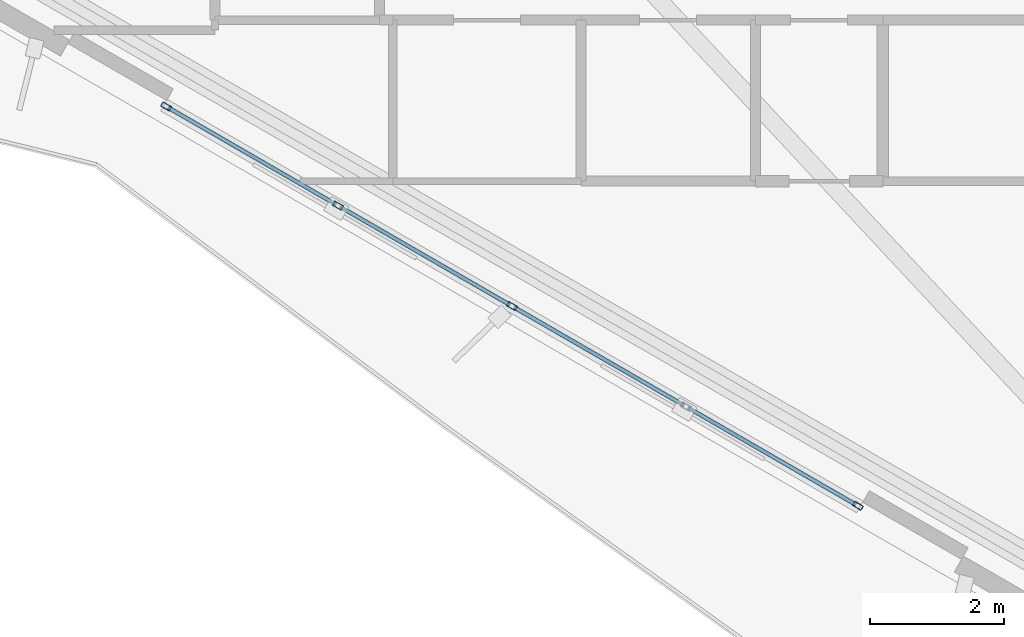
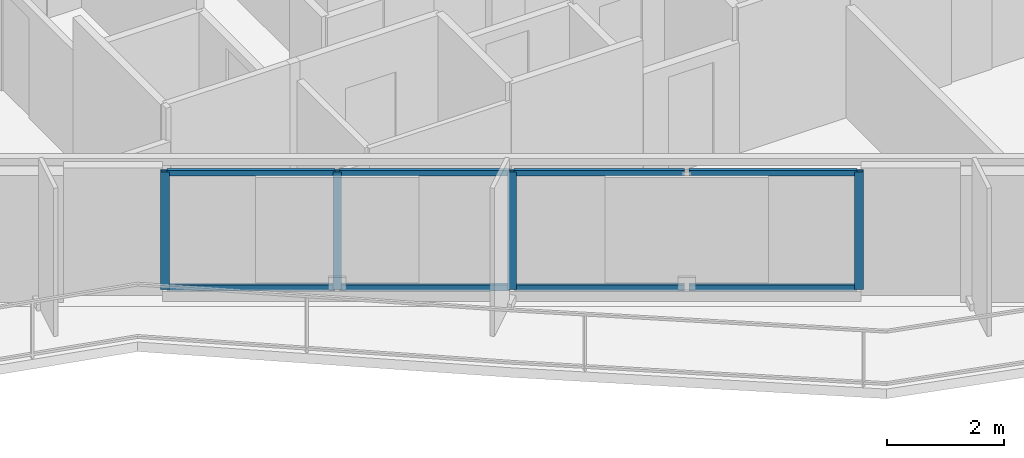
# One storey, part 2 of 19: 12 members, 1 element without a shape of its own.
"""IFC4 building model written with IfcOpenShell, lengths in metres."""

import ifcopenshell
import ifcopenshell.guid

model = None  # the IFC model being written
_history = None  # IfcOwnerHistory: only IFC2X3 demands one
_inside = {}  # id of a spatial element -> (the spatial element, [elements in it])
_under = {}  # id of a project, library or spatial element -> (it, [spatial elements below it])
_declared = {}  # id of a project -> (the project, [libraries it declares])
_typed = {}  # id of a type object -> (the type object, [elements of that type])
_made_of = {}  # id of a material, layer set ... -> (it, [elements and type objects made of it])


def new_model(schema):
    """Start an empty IFC model of exactly this schema.

    Asked for "IFC4X3", IfcOpenShell would pick the latest addendum, in which some entities
    have other attributes; the version numbers below select the first issue.
    IFC2X3 requires an IfcOwnerHistory on every rooted entity: one is made here for all.
    """
    global model, _history
    if schema == "IFC4X3":
        model = ifcopenshell.file(schema_version=(4, 3, 0, 0))
    else:
        model = ifcopenshell.file(schema=schema)
    _inside.clear()
    _under.clear()
    _declared.clear()
    _typed.clear()
    _made_of.clear()
    _history = None
    if model.schema == "IFC2X3":
        org = make("IfcOrganization", Name="unknown")
        user = make(
            "IfcPersonAndOrganization",
            ThePerson=make("IfcPerson", FamilyName="unknown"),
            TheOrganization=org,
        )
        app = make(
            "IfcApplication",
            ApplicationDeveloper=org,
            Version="unknown",
            ApplicationFullName="unknown",
            ApplicationIdentifier="unknown",
        )
        _history = make(
            "IfcOwnerHistory",
            OwningUser=user,
            OwningApplication=app,
            ChangeAction="ADDED",
            CreationDate=0,
        )
    return model


def make(cls, **values):
    """One entity of the class cls with the attributes given. An attribute that is None is left unset."""
    return model.create_entity(
        cls, **{name: value for name, value in values.items() if value is not None}
    )


def rooted(cls, **values):
    """An entity with a GlobalId (a new one), such as an element, a storey or a relation."""
    return make(cls, GlobalId=ifcopenshell.guid.new(), OwnerHistory=_history, **values)


def si_unit(unit_type, name, prefix=None):
    """IfcSIUnit, for example si_unit("LENGTHUNIT", "METRE", prefix="MILLI")."""
    return make("IfcSIUnit", UnitType=unit_type, Prefix=prefix, Name=name)


def assignment(units):
    """IfcUnitAssignment: the units of a project."""
    return None if units is None else make("IfcUnitAssignment", Units=units)


def point(xyz):
    """IfcCartesianPoint."""
    return None if xyz is None else make("IfcCartesianPoint", Coordinates=xyz)


def direction(xyz):
    """IfcDirection."""
    return None if xyz is None else make("IfcDirection", DirectionRatios=xyz)


def frame(location, z_axis=None, x_axis=None):
    """IfcAxis2Placement3D, a coordinate frame: its origin and axes. An axis left out is left unset."""
    return make(
        "IfcAxis2Placement3D",
        Location=point(location),
        Axis=direction(z_axis),
        RefDirection=direction(x_axis),
    )


def frame_2d(location, x_axis=None):
    """IfcAxis2Placement2D, a coordinate frame in the plane: its origin and x axis."""
    return make(
        "IfcAxis2Placement2D", Location=point(location), RefDirection=direction(x_axis)
    )


def origin():
    """The frame at (0, 0, 0) with its axes left unset."""
    return frame((0.0, 0.0, 0.0))


def origin_2d():
    """The frame at (0, 0) in the plane with its x axis left unset."""
    return frame_2d((0.0, 0.0))


def place(relative_to, where):
    """IfcLocalPlacement: puts the frame where relative to a parent placement (None: the world)."""
    return make(
        "IfcLocalPlacement", PlacementRelTo=relative_to, RelativePlacement=where
    )


def context(
    kind, dimensions, precision=None, world=None, true_north=None, identifier=None
):
    """IfcGeometricRepresentationContext, for example the 3D "Model" context."""
    return make(
        "IfcGeometricRepresentationContext",
        ContextIdentifier=identifier,
        ContextType=kind,
        CoordinateSpaceDimension=dimensions,
        Precision=precision,
        WorldCoordinateSystem=world,
        TrueNorth=true_north,
    )


def subcontext(parent, identifier, kind, view, scale=None):
    """IfcGeometricRepresentationSubContext, for example "Body" below "Model"."""
    return make(
        "IfcGeometricRepresentationSubContext",
        ContextIdentifier=identifier,
        ContextType=kind,
        ParentContext=parent,
        TargetScale=scale,
        TargetView=view,
    )


def project(units=None, contexts=None):
    """IfcProject with its units and contexts."""
    return rooted(
        "IfcProject",
        Name="project",
        RepresentationContexts=contexts,
        UnitsInContext=assignment(units),
    )


def spatial(cls, under=None, at=None, **own):
    """A site, building, storey or space (cls), placed at a placement, below another one or the project."""
    s = rooted(cls, ObjectPlacement=at, **own)
    if under is not None:
        _under.setdefault(under.id(), (under, []))[1].append(s)
    return s


def profile(cls, at=None, kind="AREA", **sizes):
    """A parametric profile (cls). Its sizes go by their IFC names, for example OverallWidth=200.0."""
    return make(cls, ProfileType=kind, Position=at, **sizes)


def hollow_rectangle(**sizes):
    """IfcRectangleHollowProfileDef."""
    return profile("IfcRectangleHollowProfileDef", **sizes)


def extrude(swept, where, along, depth):
    """IfcExtrudedAreaSolid: the profile swept, set in the frame where, extruded along a direction by depth."""
    return make(
        "IfcExtrudedAreaSolid",
        SweptArea=swept,
        Position=where,
        ExtrudedDirection=direction(along),
        Depth=depth,
    )


def shape(context_of_items, identifier, shape_type, items):
    """IfcShapeRepresentation: the items that make up one representation, for example the "Body"."""
    return make(
        "IfcShapeRepresentation",
        ContextOfItems=context_of_items,
        RepresentationIdentifier=identifier,
        RepresentationType=shape_type,
        Items=items,
    )


def material(Name=None, Category=None):
    """IfcMaterial."""
    return make("IfcMaterial", Name=Name, Category=Category)


def layer(
    of_material, thickness, ventilated=None, Name=None, Category=None, Priority=None
):
    """IfcMaterialLayer: one layer of a wall or slab, of a material (None: an air gap)."""
    return make(
        "IfcMaterialLayer",
        Material=of_material,
        LayerThickness=thickness,
        IsVentilated=ventilated,
        Name=Name,
        Category=Category,
        Priority=Priority,
    )


def layer_set(layers, Name=None):
    """IfcMaterialLayerSet."""
    return make("IfcMaterialLayerSet", MaterialLayers=layers, LayerSetName=Name)


def material_profile(
    of_material, cross_section, Name=None, Category=None, Priority=None
):
    """IfcMaterialProfile: a cross section and its material."""
    return make(
        "IfcMaterialProfile",
        Name=Name,
        Material=of_material,
        Profile=cross_section,
        Priority=Priority,
        Category=Category,
    )


def profile_set(profiles, Name=None, composite=None):
    """IfcMaterialProfileSet."""
    return make(
        "IfcMaterialProfileSet",
        Name=Name,
        MaterialProfiles=profiles,
        CompositeProfile=composite,
    )


def made_of(thing, what):
    """Note that an element or type object is made of a material, layer set ...; save() writes the relation."""
    if what is not None:
        _made_of.setdefault(what.id(), (what, []))[1].append(thing)
    return thing


def type_object(cls, material=None, **own):
    """A type object (cls), such as IfcWallType, which elements share."""
    return made_of(rooted(cls, **own), material)


def element(
    cls,
    number,
    at=None,
    inside=None,
    cuts=None,
    type_object=None,
    material=None,
    context=None,
    identifier="Body",
    shape_type=None,
    held_by="IfcProductDefinitionShape",
    body=None,
    shapes=None,
    **own,
):
    """One element of the class cls, such as IfcWall. Its Tag is "e" and its number.

    at: its placement. inside: the storey or other place that contains it. cuts: it is an
    opening in that element (IfcRelVoidsElement). A single representation is given by context,
    identifier, shape_type and body (its items); several are given by shapes. held_by: the class
    of the entity that holds the representations. save() writes the other relations.
    """
    e = rooted(cls, Tag="e%d" % number, ObjectPlacement=at, **own)
    if body is not None:
        shapes = [shape(context, identifier, shape_type, body)]
    if shapes is not None:
        e.Representation = make(held_by, Representations=shapes)
    if inside is not None:
        _inside.setdefault(inside.id(), (inside, []))[1].append(e)
    if cuts is not None:
        rooted(
            "IfcRelVoidsElement", RelatingBuildingElement=cuts, RelatedOpeningElement=e
        )
    if type_object is not None:
        _typed.setdefault(type_object.id(), (type_object, []))[1].append(e)
    return made_of(e, material)


def aggregate(whole, parts):
    """IfcRelAggregates: a whole, such as a stair, and the parts it consists of."""
    return rooted("IfcRelAggregates", RelatingObject=whole, RelatedObjects=parts)


def save(model, path):
    """Write the relations noted so far, then the file.

    IfcRelAggregates (storeys below a building ...), IfcRelContainedInSpatialStructure (elements
    in a storey), IfcRelDefinesByType, IfcRelAssociatesMaterial and IfcRelDeclares: one each for
    every whole, place, type object, material and project.
    """
    for whole, parts in _under.values():
        aggregate(whole, parts)
    for where, things in _inside.values():
        rooted(
            "IfcRelContainedInSpatialStructure",
            RelatedElements=things,
            RelatingStructure=where,
        )
    for kind, things in _typed.values():
        rooted("IfcRelDefinesByType", RelatedObjects=things, RelatingType=kind)
    for what, things in _made_of.values():
        rooted("IfcRelAssociatesMaterial", RelatedObjects=things, RelatingMaterial=what)
    for by, libraries in _declared.values():
        rooted("IfcRelDeclares", RelatingContext=by, RelatedDefinitions=libraries)
    model.write(path)


model = new_model("IFC4")

# Units and contexts
model_context = context("Model", 3, precision=1e-05, world=origin(), true_north=direction((0.0, 1.0)))
body_context = subcontext(model_context, "Body", "Model", "MODEL_VIEW")
ifc_project = project(units=[si_unit("LENGTHUNIT", "METRE"), si_unit("AREAUNIT", "SQUARE_METRE"), si_unit("VOLUMEUNIT", "CUBIC_METRE"), si_unit("PLANEANGLEUNIT", "RADIAN"), si_unit("MASSUNIT", "GRAM", prefix="KILO")], contexts=[model_context])

# Site, building, storey
site_placement = place(None, origin())
site = spatial("IfcSite", under=ifc_project, at=site_placement, CompositionType="ELEMENT")
building_placement = place(site_placement, origin())
building = spatial("IfcBuilding", under=site, at=building_placement, Name="Mersakhor Tower and Convention Hall", CompositionType="ELEMENT")
storey_placement = place(building_placement, frame((0.0, 0.0, 48.89990234375)))
storey = spatial("IfcBuildingStorey", under=building, at=storey_placement, Name="L13", CompositionType="ELEMENT", Elevation=48.89990234375)

# Curtain wall, members
ifc_material_1 = material(Name="Dark solar low-E aluminium curtain wall", Category="aluminium")
ifc_layer = layer(ifc_material_1, 0.159912109375)
ifc_layer_set = layer_set([ifc_layer], Name="Dark solar low-E aluminium curtain wall")
curtain_wall_type = type_object("IfcCurtainWallType", Name="CW-SYS-01", PredefinedType="USERDEFINED", material=ifc_layer_set)
curtain_wall_placement = place(storey_placement, origin())
curtain_wall = element("IfcCurtainWall", 1, at=curtain_wall_placement, inside=storey, type_object=curtain_wall_type, Name="L13 Dark-Glass Curtain Wall F3-B2", ObjectType="CURTAIN WALL", PredefinedType="USERDEFINED")
ifc_material_2 = material(Name="Anodised aluminium EN AW-6063 T6", Category="aluminium")
ifc_material_profile_1 = material_profile(ifc_material_2, hollow_rectangle(XDim=0.074951171875, YDim=0.14990234375, WallThickness=0.00634765625, at=origin_2d()), Name="RHS 150x75x6.3")
ifc_profile_set_1 = profile_set([ifc_material_profile_1], Name="Anodised aluminium EN AW-6063 T6")
member_type_1 = type_object("IfcMemberType", Name="CWM-150x75", PredefinedType="MULLION", material=ifc_profile_set_1)
member_1_placement = place(storey_placement, frame((26.72705078125, 10.9150390625, 0.2001953125), z_axis=(0.0, 0.0, 1.0), x_axis=(-0.50000344889, -0.866023412558, 0.0)))
member_1 = element("IfcMember", 2, at=member_1_placement, type_object=member_type_1, Name="CW-01 mullion 1", PredefinedType="MULLION", context=body_context, shape_type="SweptSolid", body=[
    extrude(hollow_rectangle(XDim=0.074951171875, YDim=0.14990234375, WallThickness=0.00634765625, at=origin_2d()), origin(), (0.0, 0.0, 1.0), 2.4599609375),
])
member_2_placement = place(storey_placement, frame((21.574951171875, 13.889404296875, 0.2001953125), z_axis=(0.0, 0.0, 1.0), x_axis=(-0.50000344889, -0.866023412558, 0.0)))
member_2 = element("IfcMember", 3, at=member_2_placement, type_object=member_type_1, Name="CW-01 mullion 3", PredefinedType="MULLION", context=body_context, shape_type="SweptSolid", body=[
    extrude(hollow_rectangle(XDim=0.074951171875, YDim=0.14990234375, WallThickness=0.00634765625, at=origin_2d()), origin(), (0.0, 0.0, 1.0), 2.4599609375),
])
member_3_placement = place(storey_placement, frame((18.982666015625, 15.38623046875, 0.2001953125), z_axis=(0.0, 0.0, 1.0), x_axis=(-0.50000344889, -0.866023412558, 0.0)))
member_3 = element("IfcMember", 4, at=member_3_placement, type_object=member_type_1, Name="CW-01 mullion 4", PredefinedType="MULLION", context=body_context, shape_type="SweptSolid", body=[
    extrude(hollow_rectangle(XDim=0.074951171875, YDim=0.14990234375, WallThickness=0.00634765625, at=origin_2d()), origin(), (0.0, 0.0, 1.0), 2.4599609375),
])
member_4_placement = place(storey_placement, frame((16.423095703125, 16.864013671875, 0.2001953125), z_axis=(0.0, 0.0, 1.0), x_axis=(-0.50000344889, -0.866023412558, 0.0)))
member_4 = element("IfcMember", 5, at=member_4_placement, type_object=member_type_1, Name="CW-01 mullion 5", PredefinedType="MULLION", context=body_context, shape_type="SweptSolid", body=[
    extrude(hollow_rectangle(XDim=0.074951171875, YDim=0.14990234375, WallThickness=0.00634765625, at=origin_2d()), origin(), (0.0, 0.0, 1.0), 2.4599609375),
])
ifc_material_3 = material(Name="Anodised aluminium EN AW-6063 T6", Category="aluminium")
ifc_material_profile_2 = material_profile(ifc_material_3, hollow_rectangle(XDim=0.06005859375, YDim=0.1201171875, WallThickness=0.0048828125, at=origin_2d()), Name="RHS 120x60x5")
ifc_profile_set_2 = profile_set([ifc_material_profile_2], Name="Anodised aluminium EN AW-6063 T6")
member_type_2 = type_object("IfcMemberType", Name="CWT-120x60", PredefinedType="USERDEFINED", material=ifc_profile_set_2)
member_5_placement = place(storey_placement, frame((26.694580078125, 10.93359375, 0.22998046875), z_axis=(-0.866023290103, 0.500003660985, 0.0), x_axis=(-0.500003660985, -0.866023290103, 0.0)))
member_5 = element("IfcMember", 6, at=member_5_placement, type_object=member_type_2, Name="CW-01 transom 1.1", ObjectType="TRANSOM", PredefinedType="USERDEFINED", context=body_context, shape_type="SweptSolid", body=[
    extrude(hollow_rectangle(XDim=0.06005859375, YDim=0.1201171875, WallThickness=0.0048828125, at=origin_2d()), origin(), (0.0, 0.0, 1.0), 2.880859375),
])
member_6_placement = place(storey_placement, frame((26.694580078125, 10.93359375, 2.630126953125), z_axis=(-0.866023290103, 0.500003660985, 0.0), x_axis=(-0.500003660985, -0.866023290103, 0.0)))
member_6 = element("IfcMember", 7, at=member_6_placement, type_object=member_type_2, Name="CW-01 transom 1.2", ObjectType="TRANSOM", PredefinedType="USERDEFINED", context=body_context, shape_type="SweptSolid", body=[
    extrude(hollow_rectangle(XDim=0.06005859375, YDim=0.1201171875, WallThickness=0.0048828125, at=origin_2d()), origin(), (0.0, 0.0, 1.0), 2.880859375),
])
member_7_placement = place(storey_placement, frame((24.134765625, 12.41162109375, 0.22998046875), z_axis=(-0.866015622527, 0.500016941252, 0.0), x_axis=(-0.500016941252, -0.866015622527, 0.0)))
member_7 = element("IfcMember", 8, at=member_7_placement, type_object=member_type_2, Name="CW-01 transom 2.1", ObjectType="TRANSOM", PredefinedType="USERDEFINED", context=body_context, shape_type="SweptSolid", body=[
    extrude(hollow_rectangle(XDim=0.06005859375, YDim=0.1201171875, WallThickness=0.0048828125, at=origin_2d()), origin(), (0.0, 0.0, 1.0), 2.91845703125),
])
member_8_placement = place(storey_placement, frame((24.134765625, 12.41162109375, 2.630126953125), z_axis=(-0.866015622527, 0.500016941252, 0.0), x_axis=(-0.500016941252, -0.866015622527, 0.0)))
member_8 = element("IfcMember", 9, at=member_8_placement, type_object=member_type_2, Name="CW-01 transom 2.2", ObjectType="TRANSOM", PredefinedType="USERDEFINED", context=body_context, shape_type="SweptSolid", body=[
    extrude(hollow_rectangle(XDim=0.06005859375, YDim=0.1201171875, WallThickness=0.0048828125, at=origin_2d()), origin(), (0.0, 0.0, 1.0), 2.91845703125),
])
member_9_placement = place(storey_placement, frame((21.54248046875, 13.908203125, 0.22998046875), z_axis=(-0.866015622527, 0.500016941252, 0.0), x_axis=(-0.500016941252, -0.866015622527, 0.0)))
member_9 = element("IfcMember", 10, at=member_9_placement, type_object=member_type_2, Name="CW-01 transom 3.1", ObjectType="TRANSOM", PredefinedType="USERDEFINED", context=body_context, shape_type="SweptSolid", body=[
    extrude(hollow_rectangle(XDim=0.06005859375, YDim=0.1201171875, WallThickness=0.0048828125, at=origin_2d()), origin(), (0.0, 0.0, 1.0), 2.91845703125),
])
member_10_placement = place(storey_placement, frame((21.54248046875, 13.908203125, 2.630126953125), z_axis=(-0.866015622527, 0.500016941252, 0.0), x_axis=(-0.500016941252, -0.866015622527, 0.0)))
member_10 = element("IfcMember", 11, at=member_10_placement, type_object=member_type_2, Name="CW-01 transom 3.2", ObjectType="TRANSOM", PredefinedType="USERDEFINED", context=body_context, shape_type="SweptSolid", body=[
    extrude(hollow_rectangle(XDim=0.06005859375, YDim=0.1201171875, WallThickness=0.0048828125, at=origin_2d()), origin(), (0.0, 0.0, 1.0), 2.91845703125),
])
member_11_placement = place(storey_placement, frame((18.9501953125, 15.40478515625, 0.22998046875), z_axis=(-0.866002100865, 0.500040359669, 0.0), x_axis=(-0.500040359669, -0.866002100865, 0.0)))
member_11 = element("IfcMember", 12, at=member_11_placement, type_object=member_type_2, Name="CW-01 transom 4.1", ObjectType="TRANSOM", PredefinedType="USERDEFINED", context=body_context, shape_type="SweptSolid", body=[
    extrude(hollow_rectangle(XDim=0.06005859375, YDim=0.1201171875, WallThickness=0.0048828125, at=origin_2d()), origin(), (0.0, 0.0, 1.0), 2.880615234375),
])
member_12_placement = place(storey_placement, frame((18.9501953125, 15.40478515625, 2.630126953125), z_axis=(-0.866002100865, 0.500040359669, 0.0), x_axis=(-0.500040359669, -0.866002100865, 0.0)))
member_12 = element("IfcMember", 13, at=member_12_placement, type_object=member_type_2, Name="CW-01 transom 4.2", ObjectType="TRANSOM", PredefinedType="USERDEFINED", context=body_context, shape_type="SweptSolid", body=[
    extrude(hollow_rectangle(XDim=0.06005859375, YDim=0.1201171875, WallThickness=0.0048828125, at=origin_2d()), origin(), (0.0, 0.0, 1.0), 2.880615234375),
])
aggregate(curtain_wall, [member_1, member_2, member_3, member_4, member_5, member_6, member_7, member_8, member_9, member_10, member_11, member_12])

save(model, "model.ifc")
